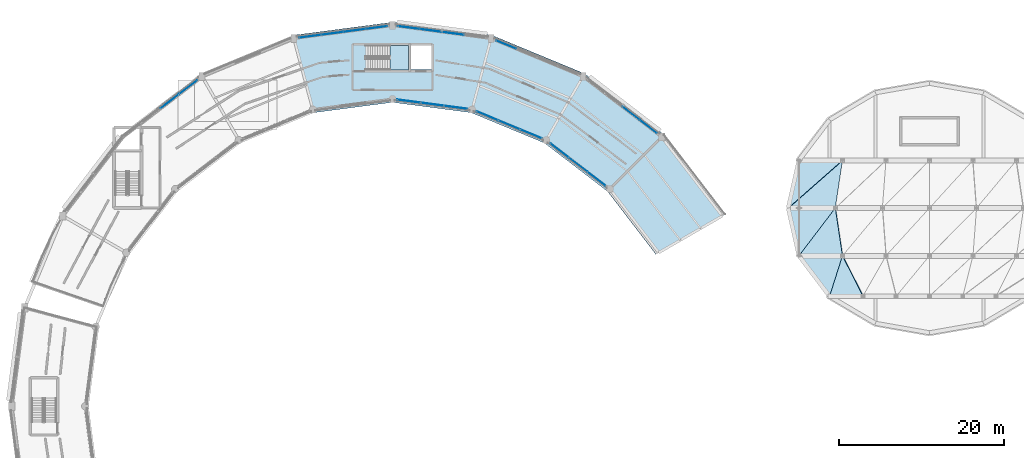
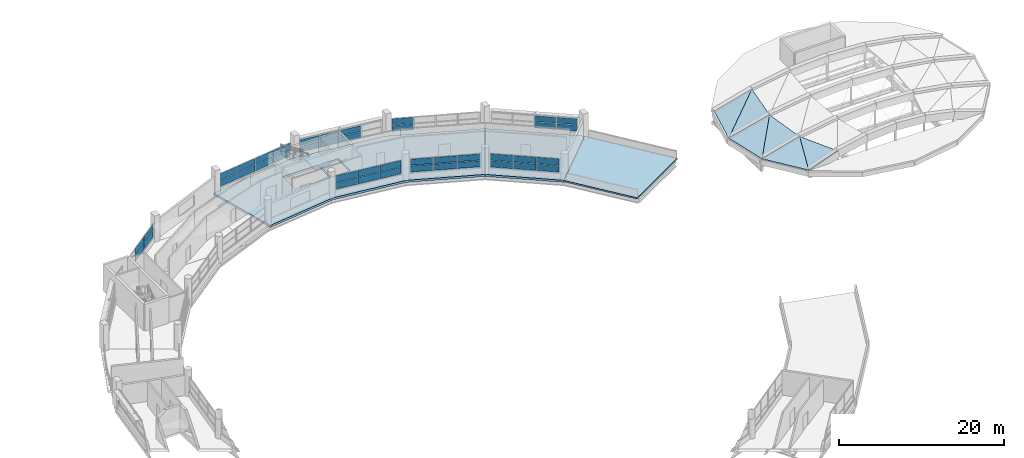
# One storey, part 70 of 88: 42 plates, 10 slabs, 10 elements without a shape of their own.
"""IFC4 building model written with IfcOpenShell, lengths in metres."""

import ifcopenshell
import ifcopenshell.guid

model = None  # the IFC model being written
_history = None  # IfcOwnerHistory: only IFC2X3 demands one
_inside = {}  # id of a spatial element -> (the spatial element, [elements in it])
_under = {}  # id of a project, library or spatial element -> (it, [spatial elements below it])
_declared = {}  # id of a project -> (the project, [libraries it declares])
_typed = {}  # id of a type object -> (the type object, [elements of that type])
_made_of = {}  # id of a material, layer set ... -> (it, [elements and type objects made of it])


def new_model(schema):
    """Start an empty IFC model of exactly this schema.

    Asked for "IFC4X3", IfcOpenShell would pick the latest addendum, in which some entities
    have other attributes; the version numbers below select the first issue.
    IFC2X3 requires an IfcOwnerHistory on every rooted entity: one is made here for all.
    """
    global model, _history
    if schema == "IFC4X3":
        model = ifcopenshell.file(schema_version=(4, 3, 0, 0))
    else:
        model = ifcopenshell.file(schema=schema)
    _inside.clear()
    _under.clear()
    _declared.clear()
    _typed.clear()
    _made_of.clear()
    _history = None
    if model.schema == "IFC2X3":
        org = make("IfcOrganization", Name="unknown")
        user = make(
            "IfcPersonAndOrganization",
            ThePerson=make("IfcPerson", FamilyName="unknown"),
            TheOrganization=org,
        )
        app = make(
            "IfcApplication",
            ApplicationDeveloper=org,
            Version="unknown",
            ApplicationFullName="unknown",
            ApplicationIdentifier="unknown",
        )
        _history = make(
            "IfcOwnerHistory",
            OwningUser=user,
            OwningApplication=app,
            ChangeAction="ADDED",
            CreationDate=0,
        )
    return model


def make(cls, **values):
    """One entity of the class cls with the attributes given. An attribute that is None is left unset."""
    return model.create_entity(
        cls, **{name: value for name, value in values.items() if value is not None}
    )


def rooted(cls, **values):
    """An entity with a GlobalId (a new one), such as an element, a storey or a relation."""
    return make(cls, GlobalId=ifcopenshell.guid.new(), OwnerHistory=_history, **values)


def si_unit(unit_type, name, prefix=None):
    """IfcSIUnit, for example si_unit("LENGTHUNIT", "METRE", prefix="MILLI")."""
    return make("IfcSIUnit", UnitType=unit_type, Prefix=prefix, Name=name)


def assignment(units):
    """IfcUnitAssignment: the units of a project."""
    return None if units is None else make("IfcUnitAssignment", Units=units)


def point(xyz):
    """IfcCartesianPoint."""
    return None if xyz is None else make("IfcCartesianPoint", Coordinates=xyz)


def direction(xyz):
    """IfcDirection."""
    return None if xyz is None else make("IfcDirection", DirectionRatios=xyz)


def frame(location, z_axis=None, x_axis=None):
    """IfcAxis2Placement3D, a coordinate frame: its origin and axes. An axis left out is left unset."""
    return make(
        "IfcAxis2Placement3D",
        Location=point(location),
        Axis=direction(z_axis),
        RefDirection=direction(x_axis),
    )


def frame_2d(location, x_axis=None):
    """IfcAxis2Placement2D, a coordinate frame in the plane: its origin and x axis."""
    return make(
        "IfcAxis2Placement2D", Location=point(location), RefDirection=direction(x_axis)
    )


def origin():
    """The frame at (0, 0, 0) with its axes left unset."""
    return frame((0.0, 0.0, 0.0))


def origin_2d():
    """The frame at (0, 0) in the plane with its x axis left unset."""
    return frame_2d((0.0, 0.0))


def place(relative_to, where):
    """IfcLocalPlacement: puts the frame where relative to a parent placement (None: the world)."""
    return make(
        "IfcLocalPlacement", PlacementRelTo=relative_to, RelativePlacement=where
    )


def context(
    kind, dimensions, precision=None, world=None, true_north=None, identifier=None
):
    """IfcGeometricRepresentationContext, for example the 3D "Model" context."""
    return make(
        "IfcGeometricRepresentationContext",
        ContextIdentifier=identifier,
        ContextType=kind,
        CoordinateSpaceDimension=dimensions,
        Precision=precision,
        WorldCoordinateSystem=world,
        TrueNorth=true_north,
    )


def subcontext(parent, identifier, kind, view, scale=None):
    """IfcGeometricRepresentationSubContext, for example "Body" below "Model"."""
    return make(
        "IfcGeometricRepresentationSubContext",
        ContextIdentifier=identifier,
        ContextType=kind,
        ParentContext=parent,
        TargetScale=scale,
        TargetView=view,
    )


def project(units=None, contexts=None):
    """IfcProject with its units and contexts."""
    return rooted(
        "IfcProject",
        Name="project",
        RepresentationContexts=contexts,
        UnitsInContext=assignment(units),
    )


def spatial(cls, under=None, at=None, **own):
    """A site, building, storey or space (cls), placed at a placement, below another one or the project."""
    s = rooted(cls, ObjectPlacement=at, **own)
    if under is not None:
        _under.setdefault(under.id(), (under, []))[1].append(s)
    return s


def polyline(points):
    """IfcPolyline through the points."""
    return make("IfcPolyline", Points=[point(p) for p in points])


def profile(cls, at=None, kind="AREA", **sizes):
    """A parametric profile (cls). Its sizes go by their IFC names, for example OverallWidth=200.0."""
    return make(cls, ProfileType=kind, Position=at, **sizes)


def rectangle(**sizes):
    """IfcRectangleProfileDef."""
    return profile("IfcRectangleProfileDef", **sizes)


def outline(outer, holes=None, kind="AREA"):
    """IfcArbitraryClosedProfileDef: a profile drawn as a closed curve; with holes, ...WithVoids."""
    if holes is None:
        return make("IfcArbitraryClosedProfileDef", ProfileType=kind, OuterCurve=outer)
    return make(
        "IfcArbitraryProfileDefWithVoids",
        ProfileType=kind,
        OuterCurve=outer,
        InnerCurves=holes,
    )


def extrude(swept, where, along, depth):
    """IfcExtrudedAreaSolid: the profile swept, set in the frame where, extruded along a direction by depth."""
    return make(
        "IfcExtrudedAreaSolid",
        SweptArea=swept,
        Position=where,
        ExtrudedDirection=direction(along),
        Depth=depth,
    )


def shape(context_of_items, identifier, shape_type, items):
    """IfcShapeRepresentation: the items that make up one representation, for example the "Body"."""
    return make(
        "IfcShapeRepresentation",
        ContextOfItems=context_of_items,
        RepresentationIdentifier=identifier,
        RepresentationType=shape_type,
        Items=items,
    )


def material(Name=None, Category=None):
    """IfcMaterial."""
    return make("IfcMaterial", Name=Name, Category=Category)


def layer(
    of_material, thickness, ventilated=None, Name=None, Category=None, Priority=None
):
    """IfcMaterialLayer: one layer of a wall or slab, of a material (None: an air gap)."""
    return make(
        "IfcMaterialLayer",
        Material=of_material,
        LayerThickness=thickness,
        IsVentilated=ventilated,
        Name=Name,
        Category=Category,
        Priority=Priority,
    )


def layer_set(layers, Name=None):
    """IfcMaterialLayerSet."""
    return make("IfcMaterialLayerSet", MaterialLayers=layers, LayerSetName=Name)


def made_of(thing, what):
    """Note that an element or type object is made of a material, layer set ...; save() writes the relation."""
    if what is not None:
        _made_of.setdefault(what.id(), (what, []))[1].append(thing)
    return thing


def type_object(cls, material=None, **own):
    """A type object (cls), such as IfcWallType, which elements share."""
    return made_of(rooted(cls, **own), material)


def element(
    cls,
    number,
    at=None,
    inside=None,
    cuts=None,
    type_object=None,
    material=None,
    context=None,
    identifier="Body",
    shape_type=None,
    held_by="IfcProductDefinitionShape",
    body=None,
    shapes=None,
    **own,
):
    """One element of the class cls, such as IfcWall. Its Tag is "e" and its number.

    at: its placement. inside: the storey or other place that contains it. cuts: it is an
    opening in that element (IfcRelVoidsElement). A single representation is given by context,
    identifier, shape_type and body (its items); several are given by shapes. held_by: the class
    of the entity that holds the representations. save() writes the other relations.
    """
    e = rooted(cls, Tag="e%d" % number, ObjectPlacement=at, **own)
    if body is not None:
        shapes = [shape(context, identifier, shape_type, body)]
    if shapes is not None:
        e.Representation = make(held_by, Representations=shapes)
    if inside is not None:
        _inside.setdefault(inside.id(), (inside, []))[1].append(e)
    if cuts is not None:
        rooted(
            "IfcRelVoidsElement", RelatingBuildingElement=cuts, RelatedOpeningElement=e
        )
    if type_object is not None:
        _typed.setdefault(type_object.id(), (type_object, []))[1].append(e)
    return made_of(e, material)


def aggregate(whole, parts):
    """IfcRelAggregates: a whole, such as a stair, and the parts it consists of."""
    return rooted("IfcRelAggregates", RelatingObject=whole, RelatedObjects=parts)


def save(model, path):
    """Write the relations noted so far, then the file.

    IfcRelAggregates (storeys below a building ...), IfcRelContainedInSpatialStructure (elements
    in a storey), IfcRelDefinesByType, IfcRelAssociatesMaterial and IfcRelDeclares: one each for
    every whole, place, type object, material and project.
    """
    for whole, parts in _under.values():
        aggregate(whole, parts)
    for where, things in _inside.values():
        rooted(
            "IfcRelContainedInSpatialStructure",
            RelatedElements=things,
            RelatingStructure=where,
        )
    for kind, things in _typed.values():
        rooted("IfcRelDefinesByType", RelatedObjects=things, RelatingType=kind)
    for what, things in _made_of.values():
        rooted("IfcRelAssociatesMaterial", RelatedObjects=things, RelatingMaterial=what)
    for by, libraries in _declared.values():
        rooted("IfcRelDeclares", RelatingContext=by, RelatedDefinitions=libraries)
    model.write(path)


model = new_model("IFC4")

# Units and contexts
model_context = context("Model", 3, precision=1e-05, world=origin(), true_north=direction((0.0, 1.0)))
body_context = subcontext(model_context, "Body", "Model", "MODEL_VIEW")
ifc_project = project(units=[si_unit("LENGTHUNIT", "METRE"), si_unit("AREAUNIT", "SQUARE_METRE"), si_unit("VOLUMEUNIT", "CUBIC_METRE"), si_unit("PLANEANGLEUNIT", "RADIAN"), si_unit("MASSUNIT", "GRAM", prefix="KILO")], contexts=[model_context])

# Site, building, storey
site_placement = place(None, origin())
site = spatial("IfcSite", under=ifc_project, at=site_placement, CompositionType="ELEMENT")
building_placement = place(site_placement, origin())
building = spatial("IfcBuilding", under=site, at=building_placement, Name="Vespera Passage Community Centre", CompositionType="ELEMENT")
storey_placement = place(building_placement, frame((0.0, 0.0, 16.5)))
storey = spatial("IfcBuildingStorey", under=building, at=storey_placement, Name="L04", CompositionType="ELEMENT", Elevation=16.5)

# Curtain wall, plates
ifc_material_1 = material(Name="Anodized aluminium 6063-T6", Category="aluminium")
ifc_layer_1 = layer(ifc_material_1, 0.159912109375)
ifc_layer_set_1 = layer_set([ifc_layer_1], Name="Anodized aluminium 6063-T6")
curtain_wall_type_1 = type_object("IfcCurtainWallType", Name="CW-53E", PredefinedType="NOTDEFINED", material=ifc_layer_set_1)
curtain_wall_1_placement = place(storey_placement, origin())
curtain_wall_1 = element("IfcCurtainWall", 1, at=curtain_wall_1_placement, inside=storey, type_object=curtain_wall_type_1, Name="V4 L04 Outer Ribbon Curtain Wall 3", PredefinedType="NOTDEFINED")
ifc_material_2 = material(Name="Low-E insulated vision glass", Category="glass")
ifc_layer_2 = layer(ifc_material_2, 0.02001953125)
ifc_layer_set_2 = layer_set([ifc_layer_2], Name="Low-E insulated vision glass")
plate_type_1 = type_object("IfcPlateType", Name="PL-CWP-20E", PredefinedType="CURTAIN_PANEL", material=ifc_layer_set_2)
plate_1_placement = place(storey_placement, frame((106.880859375, 100.949462890625, 0.919921875), z_axis=(0.0, 0.0, 1.0), x_axis=(0.793345363065, -0.608771824991, 0.0)))
plate_1 = element("IfcPlate", 2, at=plate_1_placement, type_object=plate_type_1, Name="CW-53E panel 3.1", PredefinedType="CURTAIN_PANEL", context=body_context, shape_type="SweptSolid", body=[
    extrude(rectangle(XDim=2.599853515625, YDim=0.02001953125, at=origin_2d()), origin(), (0.0, 0.0, 1.0), 0.852783203125),
])
plate_2_placement = place(storey_placement, frame((106.880859375, 100.949462890625, 1.873046875), z_axis=(0.0, 0.0, 1.0), x_axis=(0.793345363065, -0.608771824991, 0.0)))
plate_2 = element("IfcPlate", 3, at=plate_2_placement, type_object=plate_type_1, Name="CW-53E panel 3.2", PredefinedType="CURTAIN_PANEL", context=body_context, shape_type="SweptSolid", body=[
    extrude(rectangle(XDim=2.599853515625, YDim=0.02001953125, at=origin_2d()), origin(), (0.0, 0.0, 1.0), 0.852783203125),
])
plate_3_placement = place(storey_placement, frame((108.982177734375, 99.337158203125, 0.919921875), z_axis=(0.0, 0.0, 1.0), x_axis=(0.793345363065, -0.608771824991, 0.0)))
plate_3 = element("IfcPlate", 4, at=plate_3_placement, type_object=plate_type_1, Name="CW-53E panel 4.1", PredefinedType="CURTAIN_PANEL", context=body_context, shape_type="SweptSolid", body=[
    extrude(rectangle(XDim=2.5673828125, YDim=0.02001953125, at=origin_2d()), origin(), (0.0, 0.0, 1.0), 0.852783203125),
])
plate_4_placement = place(storey_placement, frame((108.982177734375, 99.337158203125, 1.873046875), z_axis=(0.0, 0.0, 1.0), x_axis=(0.793345363065, -0.608771824991, 0.0)))
plate_4 = element("IfcPlate", 5, at=plate_4_placement, type_object=plate_type_1, Name="CW-53E panel 4.2", PredefinedType="CURTAIN_PANEL", context=body_context, shape_type="SweptSolid", body=[
    extrude(rectangle(XDim=2.5673828125, YDim=0.02001953125, at=origin_2d()), origin(), (0.0, 0.0, 1.0), 0.852783203125),
])
aggregate(curtain_wall_1, [plate_1, plate_2, plate_3, plate_4])

ifc_material_3 = material(Name="Anodized aluminium 6063-T6", Category="aluminium")
ifc_layer_3 = layer(ifc_material_3, 0.159912109375)
ifc_layer_set_3 = layer_set([ifc_layer_3], Name="Anodized aluminium 6063-T6")
curtain_wall_type_2 = type_object("IfcCurtainWallType", Name="CW-54E", PredefinedType="NOTDEFINED", material=ifc_layer_set_3)
curtain_wall_2_placement = place(storey_placement, origin())
curtain_wall_2 = element("IfcCurtainWall", 6, at=curtain_wall_2_placement, inside=storey, type_object=curtain_wall_type_2, Name="V4 L04 Inner Court Curtain Wall 3", PredefinedType="NOTDEFINED")
plate_5_placement = place(storey_placement, frame((102.691650390625, 93.041748046875, 0.880126953125), z_axis=(0.0, 0.0, 1.0), x_axis=(-0.793358205999, 0.608755087843, 0.0)))
plate_5 = element("IfcPlate", 7, at=plate_5_placement, type_object=plate_type_1, Name="CW-54E panel 1.1", PredefinedType="CURTAIN_PANEL", context=body_context, shape_type="SweptSolid", body=[
    extrude(rectangle(XDim=2.72900390625, YDim=0.02001953125, at=origin_2d()), origin(), (0.0, 0.0, 1.0), 0.95458984375),
])
plate_6_placement = place(storey_placement, frame((102.691650390625, 93.041748046875, 1.894775390625), z_axis=(0.0, 0.0, 1.0), x_axis=(-0.793358205999, 0.608755087843, 0.0)))
plate_6 = element("IfcPlate", 8, at=plate_6_placement, type_object=plate_type_1, Name="CW-54E panel 1.2", PredefinedType="CURTAIN_PANEL", context=body_context, shape_type="SweptSolid", body=[
    extrude(rectangle(XDim=2.72900390625, YDim=0.02001953125, at=origin_2d()), origin(), (0.0, 0.0, 1.0), 0.95458984375),
])
plate_7_placement = place(storey_placement, frame((100.4521484375, 94.76025390625, 0.880126953125), z_axis=(0.0, 0.0, 1.0), x_axis=(-0.793358205999, 0.608755087843, 0.0)))
plate_7 = element("IfcPlate", 9, at=plate_7_placement, type_object=plate_type_1, Name="CW-54E panel 2.1", PredefinedType="CURTAIN_PANEL", context=body_context, shape_type="SweptSolid", body=[
    extrude(rectangle(XDim=2.7666015625, YDim=0.02001953125, at=origin_2d()), origin(), (0.0, 0.0, 1.0), 0.95458984375),
])
plate_8_placement = place(storey_placement, frame((100.4521484375, 94.76025390625, 1.894775390625), z_axis=(0.0, 0.0, 1.0), x_axis=(-0.793358205999, 0.608755087843, 0.0)))
plate_8 = element("IfcPlate", 10, at=plate_8_placement, type_object=plate_type_1, Name="CW-54E panel 2.2", PredefinedType="CURTAIN_PANEL", context=body_context, shape_type="SweptSolid", body=[
    extrude(rectangle(XDim=2.7666015625, YDim=0.02001953125, at=origin_2d()), origin(), (0.0, 0.0, 1.0), 0.95458984375),
])
plate_9_placement = place(storey_placement, frame((98.212646484375, 96.478759765625, 0.880126953125), z_axis=(0.0, 0.0, 1.0), x_axis=(-0.793358205999, 0.608755087843, 0.0)))
plate_9 = element("IfcPlate", 11, at=plate_9_placement, type_object=plate_type_1, Name="CW-54E panel 3.1", PredefinedType="CURTAIN_PANEL", context=body_context, shape_type="SweptSolid", body=[
    extrude(rectangle(XDim=2.72900390625, YDim=0.02001953125, at=origin_2d()), origin(), (0.0, 0.0, 1.0), 0.95458984375),
])
plate_10_placement = place(storey_placement, frame((98.212646484375, 96.478759765625, 1.894775390625), z_axis=(0.0, 0.0, 1.0), x_axis=(-0.793358205999, 0.608755087843, 0.0)))
plate_10 = element("IfcPlate", 12, at=plate_10_placement, type_object=plate_type_1, Name="CW-54E panel 3.2", PredefinedType="CURTAIN_PANEL", context=body_context, shape_type="SweptSolid", body=[
    extrude(rectangle(XDim=2.72900390625, YDim=0.02001953125, at=origin_2d()), origin(), (0.0, 0.0, 1.0), 0.95458984375),
])
aggregate(curtain_wall_2, [plate_5, plate_6, plate_7, plate_8, plate_9, plate_10])

ifc_material_4 = material(Name="Anodized aluminium 6063-T6", Category="aluminium")
ifc_layer_4 = layer(ifc_material_4, 0.159912109375)
ifc_layer_set_4 = layer_set([ifc_layer_4], Name="Anodized aluminium 6063-T6")
curtain_wall_type_3 = type_object("IfcCurtainWallType", Name="CW-59E", PredefinedType="NOTDEFINED", material=ifc_layer_set_4)
curtain_wall_3_placement = place(storey_placement, origin())
curtain_wall_3 = element("IfcCurtainWall", 13, at=curtain_wall_3_placement, inside=storey, type_object=curtain_wall_type_3, Name="V4 L04 Outer Ribbon Curtain Wall 6", PredefinedType="NOTDEFINED")
plate_11_placement = place(storey_placement, frame((68.01708984375, 110.28564453125, 0.8798828125), z_axis=(0.0, 0.0, 1.0), x_axis=(0.991444252276, 0.130530818696, 0.0)))
plate_11 = element("IfcPlate", 14, at=plate_11_placement, type_object=plate_type_1, Name="CW-59E panel 1.1", PredefinedType="CURTAIN_PANEL", context=body_context, shape_type="SweptSolid", body=[
    extrude(rectangle(XDim=2.614501953125, YDim=0.02001953125, at=origin_2d()), origin(), (0.0, 0.0, 1.0), 0.912841796875),
])
plate_12_placement = place(storey_placement, frame((68.01708984375, 110.28564453125, 1.8525390625), z_axis=(0.0, 0.0, 1.0), x_axis=(0.991444252276, 0.130530818696, 0.0)))
plate_12 = element("IfcPlate", 15, at=plate_12_placement, type_object=plate_type_1, Name="CW-59E panel 1.2", PredefinedType="CURTAIN_PANEL", context=body_context, shape_type="SweptSolid", body=[
    extrude(rectangle(XDim=2.614501953125, YDim=0.02001953125, at=origin_2d()), origin(), (0.0, 0.0, 1.0), 0.912841796875),
])
plate_13_placement = place(storey_placement, frame((70.689697265625, 110.6376953125, 0.8798828125), z_axis=(0.0, 0.0, 1.0), x_axis=(0.991444252276, 0.130530818696, 0.0)))
plate_13 = element("IfcPlate", 16, at=plate_13_placement, type_object=plate_type_1, Name="CW-59E panel 2.1", PredefinedType="CURTAIN_PANEL", context=body_context, shape_type="SweptSolid", body=[
    extrude(rectangle(XDim=2.64697265625, YDim=0.02001953125, at=origin_2d()), origin(), (0.0, 0.0, 1.0), 0.912841796875),
])
plate_14_placement = place(storey_placement, frame((70.689697265625, 110.6376953125, 1.8525390625), z_axis=(0.0, 0.0, 1.0), x_axis=(0.991444252276, 0.130530818696, 0.0)))
plate_14 = element("IfcPlate", 17, at=plate_14_placement, type_object=plate_type_1, Name="CW-59E panel 2.2", PredefinedType="CURTAIN_PANEL", context=body_context, shape_type="SweptSolid", body=[
    extrude(rectangle(XDim=2.64697265625, YDim=0.02001953125, at=origin_2d()), origin(), (0.0, 0.0, 1.0), 0.912841796875),
])
plate_15_placement = place(storey_placement, frame((73.378662109375, 110.99169921875, 0.8798828125), z_axis=(0.0, 0.0, 1.0), x_axis=(0.991444252276, 0.130530818696, 0.0)))
plate_15 = element("IfcPlate", 18, at=plate_15_placement, type_object=plate_type_1, Name="CW-59E panel 3.1", PredefinedType="CURTAIN_PANEL", context=body_context, shape_type="SweptSolid", body=[
    extrude(rectangle(XDim=2.64697265625, YDim=0.02001953125, at=origin_2d()), origin(), (0.0, 0.0, 1.0), 0.912841796875),
])
plate_16_placement = place(storey_placement, frame((73.378662109375, 110.99169921875, 1.8525390625), z_axis=(0.0, 0.0, 1.0), x_axis=(0.991444252276, 0.130530818696, 0.0)))
plate_16 = element("IfcPlate", 19, at=plate_16_placement, type_object=plate_type_1, Name="CW-59E panel 3.2", PredefinedType="CURTAIN_PANEL", context=body_context, shape_type="SweptSolid", body=[
    extrude(rectangle(XDim=2.64697265625, YDim=0.02001953125, at=origin_2d()), origin(), (0.0, 0.0, 1.0), 0.912841796875),
])
plate_17_placement = place(storey_placement, frame((76.05126953125, 111.343505859375, 0.8798828125), z_axis=(0.0, 0.0, 1.0), x_axis=(0.991444252276, 0.130530818696, 0.0)))
plate_17 = element("IfcPlate", 20, at=plate_17_placement, type_object=plate_type_1, Name="CW-59E panel 4.1", PredefinedType="CURTAIN_PANEL", context=body_context, shape_type="SweptSolid", body=[
    extrude(rectangle(XDim=2.614501953125, YDim=0.02001953125, at=origin_2d()), origin(), (0.0, 0.0, 1.0), 0.912841796875),
])
plate_18_placement = place(storey_placement, frame((76.05126953125, 111.343505859375, 1.8525390625), z_axis=(0.0, 0.0, 1.0), x_axis=(0.991444252276, 0.130530818696, 0.0)))
plate_18 = element("IfcPlate", 21, at=plate_18_placement, type_object=plate_type_1, Name="CW-59E panel 4.2", PredefinedType="CURTAIN_PANEL", context=body_context, shape_type="SweptSolid", body=[
    extrude(rectangle(XDim=2.614501953125, YDim=0.02001953125, at=origin_2d()), origin(), (0.0, 0.0, 1.0), 0.912841796875),
])
aggregate(curtain_wall_3, [plate_11, plate_12, plate_13, plate_14, plate_15, plate_16, plate_17, plate_18])

ifc_material_5 = material(Name="Anodized aluminium 6063-T6", Category="aluminium")
ifc_layer_5 = layer(ifc_material_5, 0.159912109375)
ifc_layer_set_5 = layer_set([ifc_layer_5], Name="Anodized aluminium 6063-T6")
curtain_wall_type_4 = type_object("IfcCurtainWallType", Name="CW-55E", PredefinedType="NOTDEFINED", material=ifc_layer_set_5)
curtain_wall_4_placement = place(storey_placement, origin())
curtain_wall_4 = element("IfcCurtainWall", 22, at=curtain_wall_4_placement, inside=storey, type_object=curtain_wall_type_4, Name="V4 L04 Outer Ribbon Curtain Wall 4", PredefinedType="NOTDEFINED")
ifc_material_6 = material(Name="Low-E insulated vision glass", Category="glass")
ifc_layer_6 = layer(ifc_material_6, 0.028076171875)
ifc_layer_set_6 = layer_set([ifc_layer_6], Name="Low-E insulated vision glass")
plate_type_2 = type_object("IfcPlateType", Name="PL-CWP-28E", PredefinedType="CURTAIN_PANEL", material=ifc_layer_set_6)
plate_19_placement = place(storey_placement, frame((91.76904296875, 109.26806640625, 0.8798828125), z_axis=(0.0, 0.0, 1.0), x_axis=(0.923879738007, -0.382682936255, 0.0)))
plate_19 = element("IfcPlate", 23, at=plate_19_placement, type_object=plate_type_2, Name="CW-55E panel 1.1", PredefinedType="CURTAIN_PANEL", context=body_context, shape_type="SweptSolid", body=[
    extrude(rectangle(XDim=2.585693359375, YDim=0.028076171875, at=origin_2d()), origin(), (0.0, 0.0, 1.0), 0.912841796875),
])
plate_20_placement = place(storey_placement, frame((91.76904296875, 109.26806640625, 1.8525390625), z_axis=(0.0, 0.0, 1.0), x_axis=(0.923879738007, -0.382682936255, 0.0)))
plate_20 = element("IfcPlate", 24, at=plate_20_placement, type_object=plate_type_2, Name="CW-55E panel 1.2", PredefinedType="CURTAIN_PANEL", context=body_context, shape_type="SweptSolid", body=[
    extrude(rectangle(XDim=2.585693359375, YDim=0.028076171875, at=origin_2d()), origin(), (0.0, 0.0, 1.0), 0.912841796875),
])
aggregate(curtain_wall_4, [plate_19, plate_20])

ifc_material_7 = material(Name="Anodized aluminium 6063-T6", Category="aluminium")
ifc_layer_7 = layer(ifc_material_7, 0.159912109375)
ifc_layer_set_7 = layer_set([ifc_layer_7], Name="Anodized aluminium 6063-T6")
curtain_wall_type_5 = type_object("IfcCurtainWallType", Name="CW-56E", PredefinedType="NOTDEFINED", material=ifc_layer_set_7)
curtain_wall_5_placement = place(storey_placement, origin())
curtain_wall_5 = element("IfcCurtainWall", 25, at=curtain_wall_5_placement, inside=storey, type_object=curtain_wall_type_5, Name="V4 L04 Inner Court Curtain Wall 4", PredefinedType="NOTDEFINED")
plate_21_placement = place(storey_placement, frame((94.7548828125, 98.480224609375, 0.919921875), z_axis=(0.0, 0.0, 1.0), x_axis=(-0.923876620096, 0.382690463482, 0.0)))
plate_21 = element("IfcPlate", 26, at=plate_21_placement, type_object=plate_type_2, Name="CW-56E panel 1.1", PredefinedType="CURTAIN_PANEL", context=body_context, shape_type="SweptSolid", body=[
    extrude(rectangle(XDim=2.7646484375, YDim=0.028076171875, at=origin_2d()), origin(), (0.0, 0.0, 1.0), 0.894775390625),
])
plate_22_placement = place(storey_placement, frame((94.7548828125, 98.480224609375, 1.91455078125), z_axis=(0.0, 0.0, 1.0), x_axis=(-0.923876620096, 0.382690463482, 0.0)))
plate_22 = element("IfcPlate", 27, at=plate_22_placement, type_object=plate_type_2, Name="CW-56E panel 1.2", PredefinedType="CURTAIN_PANEL", context=body_context, shape_type="SweptSolid", body=[
    extrude(rectangle(XDim=2.7646484375, YDim=0.028076171875, at=origin_2d()), origin(), (0.0, 0.0, 1.0), 0.894775390625),
])
plate_23_placement = place(storey_placement, frame((92.114013671875, 99.57421875, 0.919921875), z_axis=(0.0, 0.0, 1.0), x_axis=(-0.923876620096, 0.382690463482, 0.0)))
plate_23 = element("IfcPlate", 28, at=plate_23_placement, type_object=plate_type_2, Name="CW-56E panel 2.1", PredefinedType="CURTAIN_PANEL", context=body_context, shape_type="SweptSolid", body=[
    extrude(rectangle(XDim=2.80224609375, YDim=0.028076171875, at=origin_2d()), origin(), (0.0, 0.0, 1.0), 0.894775390625),
])
plate_24_placement = place(storey_placement, frame((92.114013671875, 99.57421875, 1.91455078125), z_axis=(0.0, 0.0, 1.0), x_axis=(-0.923876620096, 0.382690463482, 0.0)))
plate_24 = element("IfcPlate", 29, at=plate_24_placement, type_object=plate_type_2, Name="CW-56E panel 2.2", PredefinedType="CURTAIN_PANEL", context=body_context, shape_type="SweptSolid", body=[
    extrude(rectangle(XDim=2.80224609375, YDim=0.028076171875, at=origin_2d()), origin(), (0.0, 0.0, 1.0), 0.894775390625),
])
plate_25_placement = place(storey_placement, frame((89.47314453125, 100.668212890625, 0.919921875), z_axis=(0.0, 0.0, 1.0), x_axis=(-0.923876620096, 0.382690463482, 0.0)))
plate_25 = element("IfcPlate", 30, at=plate_25_placement, type_object=plate_type_2, Name="CW-56E panel 3.1", PredefinedType="CURTAIN_PANEL", context=body_context, shape_type="SweptSolid", body=[
    extrude(rectangle(XDim=2.7646484375, YDim=0.028076171875, at=origin_2d()), origin(), (0.0, 0.0, 1.0), 0.894775390625),
])
plate_26_placement = place(storey_placement, frame((89.47314453125, 100.668212890625, 1.91455078125), z_axis=(0.0, 0.0, 1.0), x_axis=(-0.923876620096, 0.382690463482, 0.0)))
plate_26 = element("IfcPlate", 31, at=plate_26_placement, type_object=plate_type_2, Name="CW-56E panel 3.2", PredefinedType="CURTAIN_PANEL", context=body_context, shape_type="SweptSolid", body=[
    extrude(rectangle(XDim=2.7646484375, YDim=0.028076171875, at=origin_2d()), origin(), (0.0, 0.0, 1.0), 0.894775390625),
])
aggregate(curtain_wall_5, [plate_21, plate_22, plate_23, plate_24, plate_25, plate_26])

ifc_material_8 = material(Name="Anodized aluminium 6063-T6", Category="aluminium")
ifc_layer_8 = layer(ifc_material_8, 0.159912109375)
ifc_layer_set_8 = layer_set([ifc_layer_8], Name="Anodized aluminium 6063-T6")
curtain_wall_type_6 = type_object("IfcCurtainWallType", Name="CW-57E", PredefinedType="NOTDEFINED", material=ifc_layer_set_8)
curtain_wall_6_placement = place(storey_placement, origin())
curtain_wall_6 = element("IfcCurtainWall", 32, at=curtain_wall_6_placement, inside=storey, type_object=curtain_wall_type_6, Name="V4 L04 Outer Ribbon Curtain Wall 5", PredefinedType="NOTDEFINED")
ifc_material_9 = material(Name="Acoustic triple-glazed vision glass", Category="glass")
ifc_layer_9 = layer(ifc_material_9, 0.035888671875)
ifc_layer_set_9 = layer_set([ifc_layer_9], Name="Acoustic triple-glazed vision glass")
plate_type_3 = type_object("IfcPlateType", Name="PL-CWP-36E", PredefinedType="CURTAIN_PANEL", material=ifc_layer_set_9)
plate_27_placement = place(storey_placement, frame((79.951171875, 111.34326171875, 0.919921875), z_axis=(0.0, 0.0, 1.0), x_axis=(0.991444252276, -0.130530818696, 0.0)))
plate_27 = element("IfcPlate", 33, at=plate_27_placement, type_object=plate_type_3, Name="CW-57E panel 1.1", PredefinedType="CURTAIN_PANEL", context=body_context, shape_type="SweptSolid", body=[
    extrude(rectangle(XDim=2.599609375, YDim=0.035888671875, at=origin_2d()), origin(), (0.0, 0.0, 1.0), 0.852783203125),
])
plate_28_placement = place(storey_placement, frame((79.951171875, 111.34326171875, 1.873046875), z_axis=(0.0, 0.0, 1.0), x_axis=(0.991444252276, -0.130530818696, 0.0)))
plate_28 = element("IfcPlate", 34, at=plate_28_placement, type_object=plate_type_3, Name="CW-57E panel 1.2", PredefinedType="CURTAIN_PANEL", context=body_context, shape_type="SweptSolid", body=[
    extrude(rectangle(XDim=2.599609375, YDim=0.035888671875, at=origin_2d()), origin(), (0.0, 0.0, 1.0), 0.852783203125),
])
plate_29_placement = place(storey_placement, frame((82.621337890625, 110.99169921875, 0.919921875), z_axis=(0.0, 0.0, 1.0), x_axis=(0.991444252276, -0.130530818696, 0.0)))
plate_29 = element("IfcPlate", 35, at=plate_29_placement, type_object=plate_type_3, Name="CW-57E panel 2.1", PredefinedType="CURTAIN_PANEL", context=body_context, shape_type="SweptSolid", body=[
    extrude(rectangle(XDim=2.636962890625, YDim=0.035888671875, at=origin_2d()), origin(), (0.0, 0.0, 1.0), 0.852783203125),
])
plate_30_placement = place(storey_placement, frame((82.621337890625, 110.99169921875, 1.873046875), z_axis=(0.0, 0.0, 1.0), x_axis=(0.991444252276, -0.130530818696, 0.0)))
plate_30 = element("IfcPlate", 36, at=plate_30_placement, type_object=plate_type_3, Name="CW-57E panel 2.2", PredefinedType="CURTAIN_PANEL", context=body_context, shape_type="SweptSolid", body=[
    extrude(rectangle(XDim=2.636962890625, YDim=0.035888671875, at=origin_2d()), origin(), (0.0, 0.0, 1.0), 0.852783203125),
])
plate_31_placement = place(storey_placement, frame((85.310302734375, 110.6376953125, 0.919921875), z_axis=(0.0, 0.0, 1.0), x_axis=(0.991444252276, -0.130530818696, 0.0)))
plate_31 = element("IfcPlate", 37, at=plate_31_placement, type_object=plate_type_3, Name="CW-57E panel 3.1", PredefinedType="CURTAIN_PANEL", context=body_context, shape_type="SweptSolid", body=[
    extrude(rectangle(XDim=2.636962890625, YDim=0.035888671875, at=origin_2d()), origin(), (0.0, 0.0, 1.0), 0.852783203125),
])
plate_32_placement = place(storey_placement, frame((85.310302734375, 110.6376953125, 1.873046875), z_axis=(0.0, 0.0, 1.0), x_axis=(0.991444252276, -0.130530818696, 0.0)))
plate_32 = element("IfcPlate", 38, at=plate_32_placement, type_object=plate_type_3, Name="CW-57E panel 3.2", PredefinedType="CURTAIN_PANEL", context=body_context, shape_type="SweptSolid", body=[
    extrude(rectangle(XDim=2.636962890625, YDim=0.035888671875, at=origin_2d()), origin(), (0.0, 0.0, 1.0), 0.852783203125),
])
aggregate(curtain_wall_6, [plate_27, plate_28, plate_29, plate_30, plate_31, plate_32])

ifc_material_10 = material(Name="Anodized aluminium 6063-T6", Category="aluminium")
ifc_layer_10 = layer(ifc_material_10, 0.159912109375)
ifc_layer_set_10 = layer_set([ifc_layer_10], Name="Anodized aluminium 6063-T6")
curtain_wall_type_7 = type_object("IfcCurtainWallType", Name="CW-58E", PredefinedType="NOTDEFINED", material=ifc_layer_set_10)
curtain_wall_7_placement = place(storey_placement, origin())
curtain_wall_7 = element("IfcCurtainWall", 39, at=curtain_wall_7_placement, inside=storey, type_object=curtain_wall_type_7, Name="V4 L04 Inner Court Curtain Wall 5", PredefinedType="NOTDEFINED")
plate_33_placement = place(storey_placement, frame((85.665283203125, 101.69091796875, 0.880126953125), z_axis=(0.0, 0.0, 1.0), x_axis=(-0.991445387728, 0.1305221941, 0.0)))
plate_33 = element("IfcPlate", 40, at=plate_33_placement, type_object=plate_type_3, Name="CW-58E panel 1.1", PredefinedType="CURTAIN_PANEL", context=body_context, shape_type="SweptSolid", body=[
    extrude(rectangle(XDim=2.79443359375, YDim=0.035888671875, at=origin_2d()), origin(), (0.0, 0.0, 1.0), 0.95458984375),
])
plate_34_placement = place(storey_placement, frame((85.665283203125, 101.69091796875, 1.894775390625), z_axis=(0.0, 0.0, 1.0), x_axis=(-0.991445387728, 0.1305221941, 0.0)))
plate_34 = element("IfcPlate", 41, at=plate_34_placement, type_object=plate_type_3, Name="CW-58E panel 1.2", PredefinedType="CURTAIN_PANEL", context=body_context, shape_type="SweptSolid", body=[
    extrude(rectangle(XDim=2.79443359375, YDim=0.035888671875, at=origin_2d()), origin(), (0.0, 0.0, 1.0), 0.95458984375),
])
plate_35_placement = place(storey_placement, frame((82.81396484375, 102.066162109375, 0.880126953125), z_axis=(0.0, 0.0, 1.0), x_axis=(-0.991445387728, 0.1305221941, 0.0)))
plate_35 = element("IfcPlate", 42, at=plate_35_placement, type_object=plate_type_3, Name="CW-58E panel 2.1", PredefinedType="CURTAIN_PANEL", context=body_context, shape_type="SweptSolid", body=[
    extrude(rectangle(XDim=2.826904296875, YDim=0.035888671875, at=origin_2d()), origin(), (0.0, 0.0, 1.0), 0.95458984375),
])
plate_36_placement = place(storey_placement, frame((82.81396484375, 102.066162109375, 1.894775390625), z_axis=(0.0, 0.0, 1.0), x_axis=(-0.991445387728, 0.1305221941, 0.0)))
plate_36 = element("IfcPlate", 43, at=plate_36_placement, type_object=plate_type_3, Name="CW-58E panel 2.2", PredefinedType="CURTAIN_PANEL", context=body_context, shape_type="SweptSolid", body=[
    extrude(rectangle(XDim=2.826904296875, YDim=0.035888671875, at=origin_2d()), origin(), (0.0, 0.0, 1.0), 0.95458984375),
])
plate_37_placement = place(storey_placement, frame((79.962890625, 102.441650390625, 0.880126953125), z_axis=(0.0, 0.0, 1.0), x_axis=(-0.991445387728, 0.1305221941, 0.0)))
plate_37 = element("IfcPlate", 44, at=plate_37_placement, type_object=plate_type_3, Name="CW-58E panel 3.1", PredefinedType="CURTAIN_PANEL", context=body_context, shape_type="SweptSolid", body=[
    extrude(rectangle(XDim=2.79443359375, YDim=0.035888671875, at=origin_2d()), origin(), (0.0, 0.0, 1.0), 0.95458984375),
])
plate_38_placement = place(storey_placement, frame((79.962890625, 102.441650390625, 1.894775390625), z_axis=(0.0, 0.0, 1.0), x_axis=(-0.991445387728, 0.1305221941, 0.0)))
plate_38 = element("IfcPlate", 45, at=plate_38_placement, type_object=plate_type_3, Name="CW-58E panel 3.2", PredefinedType="CURTAIN_PANEL", context=body_context, shape_type="SweptSolid", body=[
    extrude(rectangle(XDim=2.79443359375, YDim=0.035888671875, at=origin_2d()), origin(), (0.0, 0.0, 1.0), 0.95458984375),
])
aggregate(curtain_wall_7, [plate_33, plate_34, plate_35, plate_36, plate_37, plate_38])

ifc_material_11 = material(Name="Anodized aluminium 6063-T6", Category="aluminium")
ifc_layer_11 = layer(ifc_material_11, 0.159912109375)
ifc_layer_set_11 = layer_set([ifc_layer_11], Name="Anodized aluminium 6063-T6")
curtain_wall_type_8 = type_object("IfcCurtainWallType", Name="CW-60E", PredefinedType="NOTDEFINED", material=ifc_layer_set_11)
curtain_wall_8_placement = place(storey_placement, origin())
curtain_wall_8 = element("IfcCurtainWall", 46, at=curtain_wall_8_placement, inside=storey, type_object=curtain_wall_type_8, Name="V4 L04 Outer Ribbon Curtain Wall 8", PredefinedType="NOTDEFINED")
ifc_material_12 = material(Name="Translucent glass block", Category="glass")
ifc_layer_12 = layer(ifc_material_12, 0.044921875)
ifc_layer_set_12 = layer_set([ifc_layer_12], Name="Translucent glass block")
plate_type_4 = type_object("IfcPlateType", Name="PL-CWP-45E", PredefinedType="CURTAIN_PANEL", material=ifc_layer_set_12)
plate_39_placement = place(storey_placement, frame((51.028564453125, 102.414794921875, 0.8798828125), z_axis=(0.0, 0.0, 1.0), x_axis=(0.793348128169, 0.608768221519, 0.0)))
plate_39 = element("IfcPlate", 47, at=plate_39_placement, type_object=plate_type_4, Name="CW-60E panel 3.1", PredefinedType="CURTAIN_PANEL", context=body_context, shape_type="SweptSolid", body=[
    extrude(rectangle(XDim=2.76171875, YDim=0.044921875, at=origin_2d()), origin(), (0.0, 0.0, 1.0), 0.912841796875),
])
plate_40_placement = place(storey_placement, frame((51.028564453125, 102.414794921875, 1.8525390625), z_axis=(0.0, 0.0, 1.0), x_axis=(0.793348128169, 0.608768221519, 0.0)))
plate_40 = element("IfcPlate", 48, at=plate_40_placement, type_object=plate_type_4, Name="CW-60E panel 3.2", PredefinedType="CURTAIN_PANEL", context=body_context, shape_type="SweptSolid", body=[
    extrude(rectangle(XDim=2.76171875, YDim=0.044921875, at=origin_2d()), origin(), (0.0, 0.0, 1.0), 0.912841796875),
])
plate_41_placement = place(storey_placement, frame((53.26416015625, 104.13037109375, 0.8798828125), z_axis=(0.0, 0.0, 1.0), x_axis=(0.793348128169, 0.608768221519, 0.0)))
plate_41 = element("IfcPlate", 49, at=plate_41_placement, type_object=plate_type_4, Name="CW-60E panel 4.1", PredefinedType="CURTAIN_PANEL", context=body_context, shape_type="SweptSolid", body=[
    extrude(rectangle(XDim=2.72412109375, YDim=0.044921875, at=origin_2d()), origin(), (0.0, 0.0, 1.0), 0.912841796875),
])
plate_42_placement = place(storey_placement, frame((53.26416015625, 104.13037109375, 1.8525390625), z_axis=(0.0, 0.0, 1.0), x_axis=(0.793348128169, 0.608768221519, 0.0)))
plate_42 = element("IfcPlate", 50, at=plate_42_placement, type_object=plate_type_4, Name="CW-60E panel 4.2", PredefinedType="CURTAIN_PANEL", context=body_context, shape_type="SweptSolid", body=[
    extrude(rectangle(XDim=2.72412109375, YDim=0.044921875, at=origin_2d()), origin(), (0.0, 0.0, 1.0), 0.912841796875),
])
aggregate(curtain_wall_8, [plate_39, plate_40, plate_41, plate_42])

# Slabs
ifc_material_13 = material(Name="Concrete f'c 35 MPa", Category="concrete")
ifc_layer_13 = layer(ifc_material_13, 0.300048828125)
ifc_layer_set_13 = layer_set([ifc_layer_13], Name="Concrete f'c 35 MPa")
slab_type_1 = type_object("IfcSlabType", Name="SL-HALL-300", PredefinedType="FLOOR", material=ifc_layer_set_13)
slab_1_placement = place(storey_placement, frame((0.0, 0.0, -0.300048828125)))
element("IfcSlab", 51, at=slab_1_placement, inside=storey, type_object=slab_type_1, Name="V4 L04 Library Sector 1 Slab", PredefinedType="FLOOR", context=body_context, shape_type="SweptSolid", body=[
    extrude(outline(polyline([(110.880615234375, 98.380615234375), (101.25, 105.770263671875), (96.39990234375, 97.36962890625), (104.021484375, 91.521484375), (110.880615234375, 98.380615234375)])), origin(), (0.0, 0.0, 1.0), 0.300048828125),
])
slab_2_placement = place(storey_placement, frame((0.0, 0.0, -0.300048828125)))
element("IfcSlab", 52, at=slab_2_placement, inside=storey, type_object=slab_type_1, Name="V4 L04 Library Sector 2 Slab", PredefinedType="FLOOR", context=body_context, shape_type="SweptSolid", body=[
    extrude(outline(polyline([(87.5244140625, 101.046142578125), (78.0, 102.300048828125), (68.4755859375, 101.046142578125), (65.96484375, 110.41552734375), (78.0, 112.0), (90.03515625, 110.41552734375), (101.25, 105.770263671875), (96.39990234375, 97.36962890625), (87.5244140625, 101.046142578125)]), holes=[polyline([(79.955078125, 109.199951171875), (74.985107421875, 109.199951171875), (74.985107421875, 106.199951171875), (79.955078125, 106.199951171875), (79.955078125, 109.199951171875)]), polyline([(82.695068359375, 106.25), (82.695068359375, 109.14990234375), (80.195068359375, 109.14990234375), (80.195068359375, 106.25), (82.695068359375, 106.25)])]), origin(), (0.0, 0.0, 1.0), 0.300048828125),
])

# Stair, slab
ifc_material_14 = material(Name="Concrete f'c 35 MPa", Category="concrete")
stair_type = type_object("IfcStairType", Name="ST-T12", PredefinedType="HALF_TURN_STAIR", material=ifc_material_14)
stair_placement = place(storey_placement, origin())
stair = element("IfcStair", 53, at=stair_placement, inside=storey, type_object=stair_type, Name="L04 Core C4 Exit Stair ST06", PredefinedType="HALF_TURN_STAIR")
ifc_material_15 = material(Name="Concrete f'c 35 MPa", Category="concrete")
ifc_layer_14 = layer(ifc_material_15, 0.199951171875)
ifc_layer_set_14 = layer_set([ifc_layer_14], Name="Concrete f'c 35 MPa")
slab_type_2 = type_object("IfcSlabType", Name="SL-LAND-200I", PredefinedType="LANDING", material=ifc_layer_set_14)
slab_3_placement = place(storey_placement, frame((0.0, 0.0, 1.75)))
slab_3 = element("IfcSlab", 54, at=slab_3_placement, type_object=slab_type_2, Name="ST06 landing 1", PredefinedType="LANDING", context=body_context, shape_type="SweptSolid", body=[
    extrude(outline(polyline([(77.705078125, 106.199951171875), (79.955078125, 106.199951171875), (79.955078125, 109.199951171875), (77.705078125, 109.199951171875), (77.705078125, 106.199951171875)])), origin(), (0.0, 0.0, 1.0), 0.199951171875),
])
aggregate(stair, [slab_3])

# Slab
ifc_material_16 = material(Name="Concrete f'c 35 MPa", Category="concrete")
ifc_layer_15 = layer(ifc_material_16, 0.219970703125)
ifc_layer_set_15 = layer_set([ifc_layer_15], Name="Concrete f'c 35 MPa")
slab_type_3 = type_object("IfcSlabType", Name="SL-ROOF-220E", PredefinedType="ROOF", material=ifc_layer_set_15)
slab_4_placement = place(storey_placement, frame((0.0, 0.0, -0.219970703125)))
element("IfcSlab", 55, at=slab_4_placement, inside=storey, type_object=slab_type_3, Name="V4 L04 Northeast Step Roof Slab", PredefinedType="ROOF", context=body_context, shape_type="SweptSolid", body=[
    extrude(outline(polyline([(118.270263671875, 88.75), (110.880615234375, 98.380615234375), (104.021484375, 91.521484375), (109.86962890625, 83.89990234375), (118.270263671875, 88.75)])), origin(), (0.0, 0.0, 1.0), 0.219970703125),
])

# Roof, slabs
ifc_material_17 = material(Name="Concrete f'c 35 MPa", Category="concrete")
roof_type = type_object("IfcRoofType", Name="RF-FLAT-V2", PredefinedType="FLAT_ROOF", material=ifc_material_17)
roof_placement = place(storey_placement, origin())
roof = element("IfcRoof", 56, at=roof_placement, inside=storey, type_object=roof_type, Name="Sports Hall Cambered Acoustic Roof V2", PredefinedType="BARREL_ROOF")
ifc_material_18 = material(Name="Concrete f'c 35 MPa", Category="concrete")
ifc_layer_16 = layer(ifc_material_18, 0.199951171875)
ifc_layer_set_16 = layer_set([ifc_layer_16], Name="Concrete f'c 35 MPa")
slab_type_4 = type_object("IfcSlabType", Name="SL-SROOF-200E", PredefinedType="ROOF", material=ifc_layer_set_16)
slab_5_placement = place(storey_placement, frame((130.908447265625, 78.82275390625, -0.199951171875), z_axis=(-0.332562866756, -0.167764831164, 0.928039277768), x_axis=(0.941381435072, 0.0, 0.337344028705)))
slab_5 = element("IfcSlab", 57, at=slab_5_placement, inside=storey, type_object=slab_type_4, Name="V2 L04 Sports Hall Arched Roof Facet 1.1A", PredefinedType="ROOF", context=body_context, shape_type="SweptSolid", body=[
    extrude(outline(polyline([(0.0, 0.0), (4.2814925257354615, 0.0), (1.9551588133833335, 4.969108596246842), (0.0, 0.0)])), origin(), (0.0, 0.0, -1.0), 0.199951171875),
])
slab_6_placement = place(storey_placement, frame((130.908447265625, 78.82275390625, -0.199951171875), z_axis=(-0.259358023933, -0.196253818957, 0.945630929045), x_axis=(0.292013325192, 0.917370811019, 0.270479228407)))
slab_6 = element("IfcSlab", 58, at=slab_6_placement, inside=storey, type_object=slab_type_4, Name="V2 L04 Sports Hall Arched Roof Facet 1.1B", PredefinedType="ROOF", context=body_context, shape_type="SweptSolid", body=[
    extrude(outline(polyline([(0.0, 0.0), (5.3399144400303635, 4.440892098500626e-16), (3.4114763199980302, 5.10873583272005), (0.0, 0.0)])), origin(), (0.0, 0.0, -1.0), 0.199951171875),
])
slab_7_placement = place(storey_placement, frame((127.20166015625, 83.721435546875, -0.199951171875), z_axis=(-0.264293394069, -0.039684765834, 0.963625508801), x_axis=(0.964385203819, 0.0, 0.264501755484)))
slab_7 = element("IfcSlab", 59, at=slab_7_placement, inside=storey, type_object=slab_type_4, Name="V2 L04 Sports Hall Arched Roof Facet 2.1A", PredefinedType="ROOF", context=body_context, shape_type="SweptSolid", body=[
    extrude(outline(polyline([(0.0, 0.0), (5.460591121051973, -6.938893903907228e-18), (4.623817435902053, 5.783120109432991), (0.0, 0.0)])), origin(), (0.0, 0.0, -1.0), 0.199951171875),
])
slab_8_placement = place(storey_placement, frame((127.20166015625, 83.721435546875, -0.199951171875), z_axis=(-0.245246254126, -0.055247497866, 0.967885318009), x_axis=(0.59403551267, 0.780429981649, 0.195066279582)))
slab_8 = element("IfcSlab", 60, at=slab_8_placement, inside=storey, type_object=slab_type_4, Name="V2 L04 Sports Hall Arched Roof Facet 2.1B", PredefinedType="ROOF", context=body_context, shape_type="SweptSolid", body=[
    extrude(outline(polyline([(0.0, 0.0), (7.404334263165061, -8.881784197001252e-16), (3.736474580589193, 4.596209117298236), (0.0, 0.0)])), origin(), (0.0, 0.0, -1.0), 0.199951171875),
])
slab_9_placement = place(storey_placement, frame((125.89990234375, 89.5, -0.199951171875), z_axis=(-0.245454515306, 0.036856028873, 0.968707238567), x_axis=(0.969365839516, 0.0, 0.245621393977)))
slab_9 = element("IfcSlab", 61, at=slab_9_placement, inside=storey, type_object=slab_type_4, Name="V2 L04 Sports Hall Arched Roof Facet 3.1A", PredefinedType="ROOF", context=body_context, shape_type="SweptSolid", body=[
    extrude(outline(polyline([(0.0, 0.0), (5.880334420847252, 0.0), (6.721429682966443, 5.782493161286771), (0.0, 0.0)])), origin(), (0.0, 0.0, -1.0), 0.199951171875),
])
slab_10_placement = place(storey_placement, frame((125.89990234375, 89.5, -0.199951171875), z_axis=(-0.264033458264, 0.059479758311, 0.962677771255), x_axis=(0.740751162151, 0.65172995528, 0.162898069857)))
slab_10 = element("IfcSlab", 62, at=slab_10_placement, inside=storey, type_object=slab_type_4, Name="V2 L04 Sports Hall Arched Roof Facet 3.1B", PredefinedType="ROOF", context=body_context, shape_type="SweptSolid", body=[
    extrude(outline(polyline([(0.0, 0.0), (8.86650123461282, 1.6653345369377348e-16), (4.730342165066344, 3.5651428502544014), (0.0, 0.0)])), origin(), (0.0, 0.0, -1.0), 0.199951171875),
])
aggregate(roof, [slab_5, slab_6, slab_7, slab_8, slab_9, slab_10])

save(model, "model.ifc")
